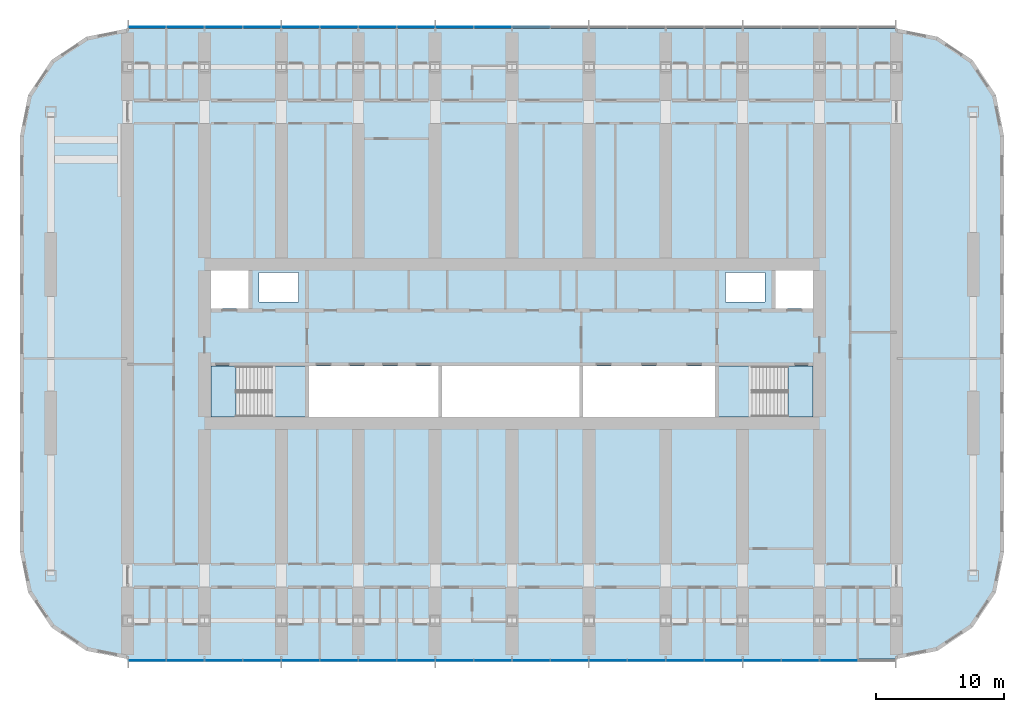
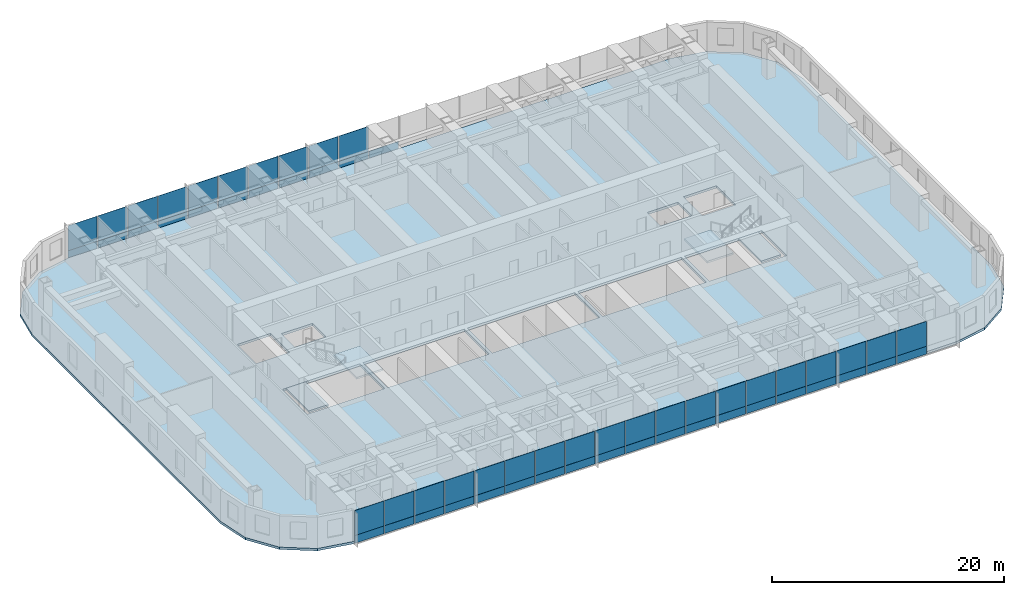
# One storey, part 8 of 23: 59 plates, 5 slabs, 4 elements without a shape of their own.
"""IFC4 building model written with IfcOpenShell, lengths in metres."""

from ifc_helpers import new_model, si_unit, direction, frame, origin, origin_2d, place, context, subcontext, project, spatial, polyline, rectangle, outline, extrude, material, layer, layer_set, type_object, element, aggregate, save


model = new_model("IFC4")

# Units and contexts
model_context = context("Model", 3, precision=1e-05, world=origin(), true_north=direction((0.0, 1.0)))
body_context = subcontext(model_context, "Body", "Model", "MODEL_VIEW")
ifc_project = project(units=[si_unit("LENGTHUNIT", "METRE"), si_unit("AREAUNIT", "SQUARE_METRE"), si_unit("VOLUMEUNIT", "CUBIC_METRE"), si_unit("PLANEANGLEUNIT", "RADIAN"), si_unit("MASSUNIT", "GRAM", prefix="KILO")], contexts=[model_context])

# Site, building, storey
site_placement = place(None, origin())
site = spatial("IfcSite", under=ifc_project, at=site_placement, CompositionType="ELEMENT")
building_placement = place(site_placement, origin())
building = spatial("IfcBuilding", under=site, at=building_placement, Name="Orbita Commons", CompositionType="ELEMENT")
storey_placement = place(building_placement, frame((0.0, 0.0, 50.199951171875)))
storey = spatial("IfcBuildingStorey", under=building, at=storey_placement, Name="L12", CompositionType="ELEMENT", Elevation=50.199951171875)

# Slab
ifc_material_1 = material(Name="Concrete C40/50", Category="concrete")
ifc_layer_1 = layer(ifc_material_1, 0.25)
ifc_layer_set_1 = layer_set([ifc_layer_1], Name="Concrete C40/50")
slab_type_1 = type_object("IfcSlabType", Name="Floor slab 250", PredefinedType="FLOOR", material=ifc_layer_set_1)
slab_1_placement = place(storey_placement, frame((0.0, 0.0, -0.25)))
element("IfcSlab", 1, at=slab_1_placement, inside=storey, type_object=slab_type_1, Name="Floor slab L12", PredefinedType="FLOOR", context=body_context, shape_type="SweptSolid", body=[
    extrude(outline(polyline([(72.0, 7.39990234375), (75.214599609375, 8.039306640625), (77.939697265625, 9.8603515625), (79.760498046875, 12.58544921875), (80.39990234375, 15.800048828125), (80.39990234375, 48.199951171875), (79.760498046875, 51.41455078125), (77.939697265625, 54.1396484375), (75.214599609375, 55.960693359375), (72.0, 56.60009765625), (12.0, 56.60009765625), (8.785400390625, 55.960693359375), (6.060302734375, 54.1396484375), (4.239501953125, 51.41455078125), (3.60009765625, 48.199951171875), (3.60009765625, 15.800048828125), (4.239501953125, 12.58544921875), (6.060302734375, 9.8603515625), (8.785400390625, 8.039306640625), (12.0, 7.39990234375), (72.0, 7.39990234375)]), holes=[polyline([(18.14990234375, 25.949951171875), (25.85009765625, 25.949951171875), (25.85009765625, 30.25), (18.14990234375, 30.25), (18.14990234375, 25.949951171875)]), polyline([(58.14990234375, 25.949951171875), (65.85009765625, 25.949951171875), (65.85009765625, 30.25), (58.14990234375, 30.25), (58.14990234375, 25.949951171875)]), polyline([(18.14990234375, 34.75), (21.449951171875, 34.75), (21.449951171875, 38.050048828125), (18.14990234375, 38.050048828125), (18.14990234375, 34.75)]), polyline([(62.550048828125, 34.75), (65.85009765625, 34.75), (65.85009765625, 38.050048828125), (62.550048828125, 38.050048828125), (62.550048828125, 34.75)]), polyline([(22.25, 35.25), (25.35009765625, 35.25), (25.35009765625, 37.550048828125), (22.25, 37.550048828125), (22.25, 35.25)]), polyline([(58.64990234375, 35.25), (61.75, 35.25), (61.75, 37.550048828125), (58.64990234375, 37.550048828125), (58.64990234375, 35.25)]), polyline([(26.14990234375, 25.949951171875), (36.25, 25.949951171875), (36.25, 30.25), (26.14990234375, 30.25), (26.14990234375, 25.949951171875)]), polyline([(36.550048828125, 25.949951171875), (47.25, 25.949951171875), (47.25, 30.25), (36.550048828125, 30.25), (36.550048828125, 25.949951171875)]), polyline([(47.550048828125, 25.949951171875), (57.85009765625, 25.949951171875), (57.85009765625, 30.25), (47.550048828125, 30.25), (47.550048828125, 25.949951171875)])]), origin(), (0.0, 0.0, 1.0), 0.25),
])

# Curtain wall, plates
ifc_material_2 = material(Name="Anodised aluminium frame, pale silver", Category="aluminium")
curtain_wall_type = type_object("IfcCurtainWallType", Name="Unitised curtain wall CW-T, vision and spandrel", PredefinedType="NOTDEFINED", material=ifc_material_2)
curtain_wall_1_placement = place(storey_placement, origin())
curtain_wall_1 = element("IfcCurtainWall", 2, at=curtain_wall_1_placement, inside=storey, type_object=curtain_wall_type, Name="Curtain wall south L12", PredefinedType="NOTDEFINED")
ifc_material_3 = material(Name="Anodised aluminium sheet on mineral wool", Category="aluminium")
ifc_layer_2 = layer(ifc_material_3, 0.050048828125)
ifc_layer_set_2 = layer_set([ifc_layer_2], Name="Anodised aluminium sheet on mineral wool")
plate_type_1 = type_object("IfcPlateType", Name="Spandrel panel, pale aluminium over insulation 50", PredefinedType="CURTAIN_PANEL", material=ifc_layer_set_2)
plate_1_placement = place(storey_placement, frame((13.52001953125, 7.2900390625, -0.14990234375), z_axis=(0.0, 0.0, 1.0), x_axis=(1.0, 0.0, 0.0)))
plate_1 = element("IfcPlate", 3, at=plate_1_placement, type_object=plate_type_1, Name="Panel 1.1 CW-L12-S", PredefinedType="CURTAIN_PANEL", context=body_context, shape_type="SweptSolid", body=[
    extrude(rectangle(XDim=2.8798828125, YDim=0.050048828125, at=origin_2d()), origin(), (0.0, 0.0, 1.0), 0.822998046875),
])
plate_2_placement = place(storey_placement, frame((16.5, 7.2900390625, -0.14990234375), z_axis=(0.0, 0.0, 1.0), x_axis=(1.0, 0.0, 0.0)))
plate_2 = element("IfcPlate", 4, at=plate_2_placement, type_object=plate_type_1, Name="Panel 2.1 CW-L12-S", PredefinedType="CURTAIN_PANEL", context=body_context, shape_type="SweptSolid", body=[
    extrude(rectangle(XDim=2.919921875, YDim=0.050048828125, at=origin_2d()), origin(), (0.0, 0.0, 1.0), 0.822998046875),
])
plate_3_placement = place(storey_placement, frame((19.5, 7.2900390625, -0.14990234375), z_axis=(0.0, 0.0, 1.0), x_axis=(1.0, 0.0, 0.0)))
plate_3 = element("IfcPlate", 5, at=plate_3_placement, type_object=plate_type_1, Name="Panel 3.1 CW-L12-S", PredefinedType="CURTAIN_PANEL", context=body_context, shape_type="SweptSolid", body=[
    extrude(rectangle(XDim=2.919921875, YDim=0.050048828125, at=origin_2d()), origin(), (0.0, 0.0, 1.0), 0.822998046875),
])
plate_4_placement = place(storey_placement, frame((22.5, 7.2900390625, -0.14990234375), z_axis=(0.0, 0.0, 1.0), x_axis=(1.0, 0.0, 0.0)))
plate_4 = element("IfcPlate", 6, at=plate_4_placement, type_object=plate_type_1, Name="Panel 4.1 CW-L12-S", PredefinedType="CURTAIN_PANEL", context=body_context, shape_type="SweptSolid", body=[
    extrude(rectangle(XDim=2.919921875, YDim=0.050048828125, at=origin_2d()), origin(), (0.0, 0.0, 1.0), 0.822998046875),
])
plate_5_placement = place(storey_placement, frame((25.5, 7.2900390625, -0.14990234375), z_axis=(0.0, 0.0, 1.0), x_axis=(1.0, 0.0, 0.0)))
plate_5 = element("IfcPlate", 7, at=plate_5_placement, type_object=plate_type_1, Name="Panel 5.1 CW-L12-S", PredefinedType="CURTAIN_PANEL", context=body_context, shape_type="SweptSolid", body=[
    extrude(rectangle(XDim=2.919921875, YDim=0.050048828125, at=origin_2d()), origin(), (0.0, 0.0, 1.0), 0.822998046875),
])
plate_6_placement = place(storey_placement, frame((28.5, 7.2900390625, -0.14990234375), z_axis=(0.0, 0.0, 1.0), x_axis=(1.0, 0.0, 0.0)))
plate_6 = element("IfcPlate", 8, at=plate_6_placement, type_object=plate_type_1, Name="Panel 6.1 CW-L12-S", PredefinedType="CURTAIN_PANEL", context=body_context, shape_type="SweptSolid", body=[
    extrude(rectangle(XDim=2.919921875, YDim=0.050048828125, at=origin_2d()), origin(), (0.0, 0.0, 1.0), 0.822998046875),
])
plate_7_placement = place(storey_placement, frame((31.5, 7.2900390625, -0.14990234375), z_axis=(0.0, 0.0, 1.0), x_axis=(1.0, 0.0, 0.0)))
plate_7 = element("IfcPlate", 9, at=plate_7_placement, type_object=plate_type_1, Name="Panel 7.1 CW-L12-S", PredefinedType="CURTAIN_PANEL", context=body_context, shape_type="SweptSolid", body=[
    extrude(rectangle(XDim=2.919921875, YDim=0.050048828125, at=origin_2d()), origin(), (0.0, 0.0, 1.0), 0.822998046875),
])
plate_8_placement = place(storey_placement, frame((34.5, 7.2900390625, -0.14990234375), z_axis=(0.0, 0.0, 1.0), x_axis=(1.0, 0.0, 0.0)))
plate_8 = element("IfcPlate", 10, at=plate_8_placement, type_object=plate_type_1, Name="Panel 8.1 CW-L12-S", PredefinedType="CURTAIN_PANEL", context=body_context, shape_type="SweptSolid", body=[
    extrude(rectangle(XDim=2.919921875, YDim=0.050048828125, at=origin_2d()), origin(), (0.0, 0.0, 1.0), 0.822998046875),
])
plate_9_placement = place(storey_placement, frame((37.5, 7.2900390625, -0.14990234375), z_axis=(0.0, 0.0, 1.0), x_axis=(1.0, 0.0, 0.0)))
plate_9 = element("IfcPlate", 11, at=plate_9_placement, type_object=plate_type_1, Name="Panel 9.1 CW-L12-S", PredefinedType="CURTAIN_PANEL", context=body_context, shape_type="SweptSolid", body=[
    extrude(rectangle(XDim=2.919921875, YDim=0.050048828125, at=origin_2d()), origin(), (0.0, 0.0, 1.0), 0.822998046875),
])
plate_10_placement = place(storey_placement, frame((40.5, 7.2900390625, -0.14990234375), z_axis=(0.0, 0.0, 1.0), x_axis=(1.0, 0.0, 0.0)))
plate_10 = element("IfcPlate", 12, at=plate_10_placement, type_object=plate_type_1, Name="Panel 10.1 CW-L12-S", PredefinedType="CURTAIN_PANEL", context=body_context, shape_type="SweptSolid", body=[
    extrude(rectangle(XDim=2.919921875, YDim=0.050048828125, at=origin_2d()), origin(), (0.0, 0.0, 1.0), 0.822998046875),
])
plate_11_placement = place(storey_placement, frame((43.5, 7.2900390625, -0.14990234375), z_axis=(0.0, 0.0, 1.0), x_axis=(1.0, 0.0, 0.0)))
plate_11 = element("IfcPlate", 13, at=plate_11_placement, type_object=plate_type_1, Name="Panel 11.1 CW-L12-S", PredefinedType="CURTAIN_PANEL", context=body_context, shape_type="SweptSolid", body=[
    extrude(rectangle(XDim=2.919921875, YDim=0.050048828125, at=origin_2d()), origin(), (0.0, 0.0, 1.0), 0.822998046875),
])
plate_12_placement = place(storey_placement, frame((46.5, 7.2900390625, -0.14990234375), z_axis=(0.0, 0.0, 1.0), x_axis=(1.0, 0.0, 0.0)))
plate_12 = element("IfcPlate", 14, at=plate_12_placement, type_object=plate_type_1, Name="Panel 12.1 CW-L12-S", PredefinedType="CURTAIN_PANEL", context=body_context, shape_type="SweptSolid", body=[
    extrude(rectangle(XDim=2.919921875, YDim=0.050048828125, at=origin_2d()), origin(), (0.0, 0.0, 1.0), 0.822998046875),
])
plate_13_placement = place(storey_placement, frame((49.5, 7.2900390625, -0.14990234375), z_axis=(0.0, 0.0, 1.0), x_axis=(1.0, 0.0, 0.0)))
plate_13 = element("IfcPlate", 15, at=plate_13_placement, type_object=plate_type_1, Name="Panel 13.1 CW-L12-S", PredefinedType="CURTAIN_PANEL", context=body_context, shape_type="SweptSolid", body=[
    extrude(rectangle(XDim=2.919921875, YDim=0.050048828125, at=origin_2d()), origin(), (0.0, 0.0, 1.0), 0.822998046875),
])
plate_14_placement = place(storey_placement, frame((52.5, 7.2900390625, -0.14990234375), z_axis=(0.0, 0.0, 1.0), x_axis=(1.0, 0.0, 0.0)))
plate_14 = element("IfcPlate", 16, at=plate_14_placement, type_object=plate_type_1, Name="Panel 14.1 CW-L12-S", PredefinedType="CURTAIN_PANEL", context=body_context, shape_type="SweptSolid", body=[
    extrude(rectangle(XDim=2.919921875, YDim=0.050048828125, at=origin_2d()), origin(), (0.0, 0.0, 1.0), 0.822998046875),
])
plate_15_placement = place(storey_placement, frame((55.5, 7.2900390625, -0.14990234375), z_axis=(0.0, 0.0, 1.0), x_axis=(1.0, 0.0, 0.0)))
plate_15 = element("IfcPlate", 17, at=plate_15_placement, type_object=plate_type_1, Name="Panel 15.1 CW-L12-S", PredefinedType="CURTAIN_PANEL", context=body_context, shape_type="SweptSolid", body=[
    extrude(rectangle(XDim=2.919921875, YDim=0.050048828125, at=origin_2d()), origin(), (0.0, 0.0, 1.0), 0.822998046875),
])
plate_16_placement = place(storey_placement, frame((58.5, 7.2900390625, -0.14990234375), z_axis=(0.0, 0.0, 1.0), x_axis=(1.0, 0.0, 0.0)))
plate_16 = element("IfcPlate", 18, at=plate_16_placement, type_object=plate_type_1, Name="Panel 16.1 CW-L12-S", PredefinedType="CURTAIN_PANEL", context=body_context, shape_type="SweptSolid", body=[
    extrude(rectangle(XDim=2.919921875, YDim=0.050048828125, at=origin_2d()), origin(), (0.0, 0.0, 1.0), 0.822998046875),
])
plate_17_placement = place(storey_placement, frame((61.5, 7.2900390625, -0.14990234375), z_axis=(0.0, 0.0, 1.0), x_axis=(1.0, 0.0, 0.0)))
plate_17 = element("IfcPlate", 19, at=plate_17_placement, type_object=plate_type_1, Name="Panel 17.1 CW-L12-S", PredefinedType="CURTAIN_PANEL", context=body_context, shape_type="SweptSolid", body=[
    extrude(rectangle(XDim=2.919921875, YDim=0.050048828125, at=origin_2d()), origin(), (0.0, 0.0, 1.0), 0.822998046875),
])
plate_18_placement = place(storey_placement, frame((64.5, 7.2900390625, -0.14990234375), z_axis=(0.0, 0.0, 1.0), x_axis=(1.0, 0.0, 0.0)))
plate_18 = element("IfcPlate", 20, at=plate_18_placement, type_object=plate_type_1, Name="Panel 18.1 CW-L12-S", PredefinedType="CURTAIN_PANEL", context=body_context, shape_type="SweptSolid", body=[
    extrude(rectangle(XDim=2.919921875, YDim=0.050048828125, at=origin_2d()), origin(), (0.0, 0.0, 1.0), 0.822998046875),
])
plate_19_placement = place(storey_placement, frame((67.5, 7.2900390625, -0.14990234375), z_axis=(0.0, 0.0, 1.0), x_axis=(1.0, 0.0, 0.0)))
plate_19 = element("IfcPlate", 21, at=plate_19_placement, type_object=plate_type_1, Name="Panel 19.1 CW-L12-S", PredefinedType="CURTAIN_PANEL", context=body_context, shape_type="SweptSolid", body=[
    extrude(rectangle(XDim=2.919921875, YDim=0.050048828125, at=origin_2d()), origin(), (0.0, 0.0, 1.0), 0.822998046875),
])

curtain_wall_2_placement = place(storey_placement, origin())
curtain_wall_2 = element("IfcCurtainWall", 22, at=curtain_wall_2_placement, inside=storey, type_object=curtain_wall_type, Name="Curtain wall north L12", PredefinedType="NOTDEFINED")
plate_20_placement = place(storey_placement, frame((43.5, 56.7099609375, -0.14990234375), z_axis=(0.0, 0.0, 1.0), x_axis=(-1.0, 0.0, 0.0)))
plate_20 = element("IfcPlate", 23, at=plate_20_placement, type_object=plate_type_1, Name="Panel 10.1 CW-L12-N", PredefinedType="CURTAIN_PANEL", context=body_context, shape_type="SweptSolid", body=[
    extrude(rectangle(XDim=2.919921875, YDim=0.050048828125, at=origin_2d()), origin(), (0.0, 0.0, 1.0), 0.822998046875),
])
plate_21_placement = place(storey_placement, frame((40.5, 56.7099609375, -0.14990234375), z_axis=(0.0, 0.0, 1.0), x_axis=(-1.0, 0.0, 0.0)))
plate_21 = element("IfcPlate", 24, at=plate_21_placement, type_object=plate_type_1, Name="Panel 11.1 CW-L12-N", PredefinedType="CURTAIN_PANEL", context=body_context, shape_type="SweptSolid", body=[
    extrude(rectangle(XDim=2.919921875, YDim=0.050048828125, at=origin_2d()), origin(), (0.0, 0.0, 1.0), 0.822998046875),
])
plate_22_placement = place(storey_placement, frame((37.5, 56.7099609375, -0.14990234375), z_axis=(0.0, 0.0, 1.0), x_axis=(-1.0, 0.0, 0.0)))
plate_22 = element("IfcPlate", 25, at=plate_22_placement, type_object=plate_type_1, Name="Panel 12.1 CW-L12-N", PredefinedType="CURTAIN_PANEL", context=body_context, shape_type="SweptSolid", body=[
    extrude(rectangle(XDim=2.919921875, YDim=0.050048828125, at=origin_2d()), origin(), (0.0, 0.0, 1.0), 0.822998046875),
])
plate_23_placement = place(storey_placement, frame((34.5, 56.7099609375, -0.14990234375), z_axis=(0.0, 0.0, 1.0), x_axis=(-1.0, 0.0, 0.0)))
plate_23 = element("IfcPlate", 26, at=plate_23_placement, type_object=plate_type_1, Name="Panel 13.1 CW-L12-N", PredefinedType="CURTAIN_PANEL", context=body_context, shape_type="SweptSolid", body=[
    extrude(rectangle(XDim=2.919921875, YDim=0.050048828125, at=origin_2d()), origin(), (0.0, 0.0, 1.0), 0.822998046875),
])
plate_24_placement = place(storey_placement, frame((31.5, 56.7099609375, -0.14990234375), z_axis=(0.0, 0.0, 1.0), x_axis=(-1.0, 0.0, 0.0)))
plate_24 = element("IfcPlate", 27, at=plate_24_placement, type_object=plate_type_1, Name="Panel 14.1 CW-L12-N", PredefinedType="CURTAIN_PANEL", context=body_context, shape_type="SweptSolid", body=[
    extrude(rectangle(XDim=2.919921875, YDim=0.050048828125, at=origin_2d()), origin(), (0.0, 0.0, 1.0), 0.822998046875),
])
plate_25_placement = place(storey_placement, frame((28.5, 56.7099609375, -0.14990234375), z_axis=(0.0, 0.0, 1.0), x_axis=(-1.0, 0.0, 0.0)))
plate_25 = element("IfcPlate", 28, at=plate_25_placement, type_object=plate_type_1, Name="Panel 15.1 CW-L12-N", PredefinedType="CURTAIN_PANEL", context=body_context, shape_type="SweptSolid", body=[
    extrude(rectangle(XDim=2.919921875, YDim=0.050048828125, at=origin_2d()), origin(), (0.0, 0.0, 1.0), 0.822998046875),
])
plate_26_placement = place(storey_placement, frame((25.5, 56.7099609375, -0.14990234375), z_axis=(0.0, 0.0, 1.0), x_axis=(-1.0, 0.0, 0.0)))
plate_26 = element("IfcPlate", 29, at=plate_26_placement, type_object=plate_type_1, Name="Panel 16.1 CW-L12-N", PredefinedType="CURTAIN_PANEL", context=body_context, shape_type="SweptSolid", body=[
    extrude(rectangle(XDim=2.919921875, YDim=0.050048828125, at=origin_2d()), origin(), (0.0, 0.0, 1.0), 0.822998046875),
])
plate_27_placement = place(storey_placement, frame((22.5, 56.7099609375, -0.14990234375), z_axis=(0.0, 0.0, 1.0), x_axis=(-1.0, 0.0, 0.0)))
plate_27 = element("IfcPlate", 30, at=plate_27_placement, type_object=plate_type_1, Name="Panel 17.1 CW-L12-N", PredefinedType="CURTAIN_PANEL", context=body_context, shape_type="SweptSolid", body=[
    extrude(rectangle(XDim=2.919921875, YDim=0.050048828125, at=origin_2d()), origin(), (0.0, 0.0, 1.0), 0.822998046875),
])
plate_28_placement = place(storey_placement, frame((19.5, 56.7099609375, -0.14990234375), z_axis=(0.0, 0.0, 1.0), x_axis=(-1.0, 0.0, 0.0)))
plate_28 = element("IfcPlate", 31, at=plate_28_placement, type_object=plate_type_1, Name="Panel 18.1 CW-L12-N", PredefinedType="CURTAIN_PANEL", context=body_context, shape_type="SweptSolid", body=[
    extrude(rectangle(XDim=2.919921875, YDim=0.050048828125, at=origin_2d()), origin(), (0.0, 0.0, 1.0), 0.822998046875),
])
plate_29_placement = place(storey_placement, frame((16.5, 56.7099609375, -0.14990234375), z_axis=(0.0, 0.0, 1.0), x_axis=(-1.0, 0.0, 0.0)))
plate_29 = element("IfcPlate", 32, at=plate_29_placement, type_object=plate_type_1, Name="Panel 19.1 CW-L12-N", PredefinedType="CURTAIN_PANEL", context=body_context, shape_type="SweptSolid", body=[
    extrude(rectangle(XDim=2.919921875, YDim=0.050048828125, at=origin_2d()), origin(), (0.0, 0.0, 1.0), 0.822998046875),
])
plate_30_placement = place(storey_placement, frame((13.52001953125, 56.7099609375, -0.14990234375), z_axis=(0.0, 0.0, 1.0), x_axis=(-1.0, 0.0, 0.0)))
plate_30 = element("IfcPlate", 33, at=plate_30_placement, type_object=plate_type_1, Name="Panel 20.1 CW-L12-N", PredefinedType="CURTAIN_PANEL", context=body_context, shape_type="SweptSolid", body=[
    extrude(rectangle(XDim=2.8798828125, YDim=0.050048828125, at=origin_2d()), origin(), (0.0, 0.0, 1.0), 0.822998046875),
])

# Stair, slabs
ifc_material_4 = material(Name="Precast concrete C40/50", Category="concrete")
stair_type_1 = type_object("IfcStairType", Name="Exit stair S1 2 flights 11 risers 170", PredefinedType="HALF_TURN_STAIR", material=ifc_material_4)
stair_1_placement = place(storey_placement, origin())
stair_1 = element("IfcStair", 34, at=stair_1_placement, inside=storey, type_object=stair_type_1, Name="Exit stair S1 L12", PredefinedType="HALF_TURN_STAIR")
ifc_material_5 = material(Name="Concrete C40/50", Category="concrete")
ifc_layer_3 = layer(ifc_material_5, 0.199951171875)
ifc_layer_set_3 = layer_set([ifc_layer_3], Name="Concrete C40/50")
slab_type_2 = type_object("IfcSlabType", Name="Stair landing 200", PredefinedType="LANDING", material=ifc_layer_set_3)
slab_2_placement = place(storey_placement, frame((0.0, 0.0, -0.199951171875)))
slab_2 = element("IfcSlab", 35, at=slab_2_placement, type_object=slab_type_2, Name="S1 landing 1", PredefinedType="LANDING", context=body_context, shape_type="SweptSolid", body=[
    extrude(outline(polyline([(18.5, 26.300048828125), (20.449951171875, 26.300048828125), (20.449951171875, 30.25), (18.5, 30.25), (18.5, 26.300048828125)])), origin(), (0.0, 0.0, 1.0), 0.199951171875),
])
slab_3_placement = place(storey_placement, frame((0.0, 0.0, 1.675048828125)))
slab_3 = element("IfcSlab", 36, at=slab_3_placement, type_object=slab_type_2, Name="S1 landing 2", PredefinedType="LANDING", context=body_context, shape_type="SweptSolid", body=[
    extrude(outline(polyline([(23.25, 26.284912109375), (25.864990234375, 26.284912109375), (25.864990234375, 30.264892578125), (23.25, 30.264892578125), (23.25, 26.284912109375)])), origin(), (0.0, 0.0, 1.0), 0.199951171875),
])
aggregate(stair_1, [slab_2, slab_3])

ifc_material_6 = material(Name="Precast concrete C40/50", Category="concrete")
stair_type_2 = type_object("IfcStairType", Name="Exit stair S2 2 flights 11 risers 170", PredefinedType="HALF_TURN_STAIR", material=ifc_material_6)
stair_2_placement = place(storey_placement, origin())
stair_2 = element("IfcStair", 37, at=stair_2_placement, inside=storey, type_object=stair_type_2, Name="Exit stair S2 L12", PredefinedType="HALF_TURN_STAIR")
slab_4_placement = place(storey_placement, frame((0.0, 0.0, -0.199951171875)))
slab_4 = element("IfcSlab", 38, at=slab_4_placement, type_object=slab_type_2, Name="S2 landing 1", PredefinedType="LANDING", context=body_context, shape_type="SweptSolid", body=[
    extrude(outline(polyline([(63.550048828125, 26.300048828125), (65.5, 26.300048828125), (65.5, 30.25), (63.550048828125, 30.25), (63.550048828125, 26.300048828125)])), origin(), (0.0, 0.0, 1.0), 0.199951171875),
])
slab_5_placement = place(storey_placement, frame((0.0, 0.0, 1.675048828125)))
slab_5 = element("IfcSlab", 39, at=slab_5_placement, type_object=slab_type_2, Name="S2 landing 2", PredefinedType="LANDING", context=body_context, shape_type="SweptSolid", body=[
    extrude(outline(polyline([(58.135009765625, 26.284912109375), (60.75, 26.284912109375), (60.75, 30.264892578125), (58.135009765625, 30.264892578125), (58.135009765625, 26.284912109375)])), origin(), (0.0, 0.0, 1.0), 0.199951171875),
])
aggregate(stair_2, [slab_4, slab_5])

# Plate
ifc_material_7 = material(Name="Clear double glazing", Category="glass")
ifc_layer_4 = layer(ifc_material_7, 0.031982421875)
ifc_layer_set_4 = layer_set([ifc_layer_4], Name="Clear double glazing")
plate_type_2 = type_object("IfcPlateType", Name="Vision panel, clear double glazing 32", PredefinedType="CURTAIN_PANEL", material=ifc_layer_set_4)
plate_31_placement = place(storey_placement, frame((13.52001953125, 7.2900390625, 0.673095703125), z_axis=(0.0, 0.0, 1.0), x_axis=(1.0, 0.0, 0.0)))
plate_31 = element("IfcPlate", 40, at=plate_31_placement, type_object=plate_type_2, Name="Panel 1.2 CW-L12-S", PredefinedType="CURTAIN_PANEL", context=body_context, shape_type="SweptSolid", body=[
    extrude(rectangle(XDim=2.8798828125, YDim=0.031982421875, at=origin_2d()), origin(), (0.0, 0.0, 1.0), 2.626953125),
])

plate_32_placement = place(storey_placement, frame((16.5, 7.2900390625, 0.673095703125), z_axis=(0.0, 0.0, 1.0), x_axis=(1.0, 0.0, 0.0)))
plate_32 = element("IfcPlate", 41, at=plate_32_placement, type_object=plate_type_2, Name="Panel 2.2 CW-L12-S", PredefinedType="CURTAIN_PANEL", context=body_context, shape_type="SweptSolid", body=[
    extrude(rectangle(XDim=2.919921875, YDim=0.031982421875, at=origin_2d()), origin(), (0.0, 0.0, 1.0), 2.626953125),
])

plate_33_placement = place(storey_placement, frame((19.5, 7.2900390625, 0.673095703125), z_axis=(0.0, 0.0, 1.0), x_axis=(1.0, 0.0, 0.0)))
plate_33 = element("IfcPlate", 42, at=plate_33_placement, type_object=plate_type_2, Name="Panel 3.2 CW-L12-S", PredefinedType="CURTAIN_PANEL", context=body_context, shape_type="SweptSolid", body=[
    extrude(rectangle(XDim=2.919921875, YDim=0.031982421875, at=origin_2d()), origin(), (0.0, 0.0, 1.0), 2.626953125),
])

plate_34_placement = place(storey_placement, frame((22.5, 7.2900390625, 0.673095703125), z_axis=(0.0, 0.0, 1.0), x_axis=(1.0, 0.0, 0.0)))
plate_34 = element("IfcPlate", 43, at=plate_34_placement, type_object=plate_type_2, Name="Panel 4.2 CW-L12-S", PredefinedType="CURTAIN_PANEL", context=body_context, shape_type="SweptSolid", body=[
    extrude(rectangle(XDim=2.919921875, YDim=0.031982421875, at=origin_2d()), origin(), (0.0, 0.0, 1.0), 2.626953125),
])

plate_35_placement = place(storey_placement, frame((25.5, 7.2900390625, 0.673095703125), z_axis=(0.0, 0.0, 1.0), x_axis=(1.0, 0.0, 0.0)))
plate_35 = element("IfcPlate", 44, at=plate_35_placement, type_object=plate_type_2, Name="Panel 5.2 CW-L12-S", PredefinedType="CURTAIN_PANEL", context=body_context, shape_type="SweptSolid", body=[
    extrude(rectangle(XDim=2.919921875, YDim=0.031982421875, at=origin_2d()), origin(), (0.0, 0.0, 1.0), 2.626953125),
])

plate_36_placement = place(storey_placement, frame((28.5, 7.2900390625, 0.673095703125), z_axis=(0.0, 0.0, 1.0), x_axis=(1.0, 0.0, 0.0)))
plate_36 = element("IfcPlate", 45, at=plate_36_placement, type_object=plate_type_2, Name="Panel 6.2 CW-L12-S", PredefinedType="CURTAIN_PANEL", context=body_context, shape_type="SweptSolid", body=[
    extrude(rectangle(XDim=2.919921875, YDim=0.031982421875, at=origin_2d()), origin(), (0.0, 0.0, 1.0), 2.626953125),
])

plate_37_placement = place(storey_placement, frame((31.5, 7.2900390625, 0.673095703125), z_axis=(0.0, 0.0, 1.0), x_axis=(1.0, 0.0, 0.0)))
plate_37 = element("IfcPlate", 46, at=plate_37_placement, type_object=plate_type_2, Name="Panel 7.2 CW-L12-S", PredefinedType="CURTAIN_PANEL", context=body_context, shape_type="SweptSolid", body=[
    extrude(rectangle(XDim=2.919921875, YDim=0.031982421875, at=origin_2d()), origin(), (0.0, 0.0, 1.0), 2.626953125),
])

plate_38_placement = place(storey_placement, frame((34.5, 7.2900390625, 0.673095703125), z_axis=(0.0, 0.0, 1.0), x_axis=(1.0, 0.0, 0.0)))
plate_38 = element("IfcPlate", 47, at=plate_38_placement, type_object=plate_type_2, Name="Panel 8.2 CW-L12-S", PredefinedType="CURTAIN_PANEL", context=body_context, shape_type="SweptSolid", body=[
    extrude(rectangle(XDim=2.919921875, YDim=0.031982421875, at=origin_2d()), origin(), (0.0, 0.0, 1.0), 2.626953125),
])

plate_39_placement = place(storey_placement, frame((37.5, 7.2900390625, 0.673095703125), z_axis=(0.0, 0.0, 1.0), x_axis=(1.0, 0.0, 0.0)))
plate_39 = element("IfcPlate", 48, at=plate_39_placement, type_object=plate_type_2, Name="Panel 9.2 CW-L12-S", PredefinedType="CURTAIN_PANEL", context=body_context, shape_type="SweptSolid", body=[
    extrude(rectangle(XDim=2.919921875, YDim=0.031982421875, at=origin_2d()), origin(), (0.0, 0.0, 1.0), 2.626953125),
])

plate_40_placement = place(storey_placement, frame((40.5, 7.2900390625, 0.673095703125), z_axis=(0.0, 0.0, 1.0), x_axis=(1.0, 0.0, 0.0)))
plate_40 = element("IfcPlate", 49, at=plate_40_placement, type_object=plate_type_2, Name="Panel 10.2 CW-L12-S", PredefinedType="CURTAIN_PANEL", context=body_context, shape_type="SweptSolid", body=[
    extrude(rectangle(XDim=2.919921875, YDim=0.031982421875, at=origin_2d()), origin(), (0.0, 0.0, 1.0), 2.626953125),
])

plate_41_placement = place(storey_placement, frame((43.5, 7.2900390625, 0.673095703125), z_axis=(0.0, 0.0, 1.0), x_axis=(1.0, 0.0, 0.0)))
plate_41 = element("IfcPlate", 50, at=plate_41_placement, type_object=plate_type_2, Name="Panel 11.2 CW-L12-S", PredefinedType="CURTAIN_PANEL", context=body_context, shape_type="SweptSolid", body=[
    extrude(rectangle(XDim=2.919921875, YDim=0.031982421875, at=origin_2d()), origin(), (0.0, 0.0, 1.0), 2.626953125),
])

plate_42_placement = place(storey_placement, frame((46.5, 7.2900390625, 0.673095703125), z_axis=(0.0, 0.0, 1.0), x_axis=(1.0, 0.0, 0.0)))
plate_42 = element("IfcPlate", 51, at=plate_42_placement, type_object=plate_type_2, Name="Panel 12.2 CW-L12-S", PredefinedType="CURTAIN_PANEL", context=body_context, shape_type="SweptSolid", body=[
    extrude(rectangle(XDim=2.919921875, YDim=0.031982421875, at=origin_2d()), origin(), (0.0, 0.0, 1.0), 2.626953125),
])

plate_43_placement = place(storey_placement, frame((49.5, 7.2900390625, 0.673095703125), z_axis=(0.0, 0.0, 1.0), x_axis=(1.0, 0.0, 0.0)))
plate_43 = element("IfcPlate", 52, at=plate_43_placement, type_object=plate_type_2, Name="Panel 13.2 CW-L12-S", PredefinedType="CURTAIN_PANEL", context=body_context, shape_type="SweptSolid", body=[
    extrude(rectangle(XDim=2.919921875, YDim=0.031982421875, at=origin_2d()), origin(), (0.0, 0.0, 1.0), 2.626953125),
])

plate_44_placement = place(storey_placement, frame((52.5, 7.2900390625, 0.673095703125), z_axis=(0.0, 0.0, 1.0), x_axis=(1.0, 0.0, 0.0)))
plate_44 = element("IfcPlate", 53, at=plate_44_placement, type_object=plate_type_2, Name="Panel 14.2 CW-L12-S", PredefinedType="CURTAIN_PANEL", context=body_context, shape_type="SweptSolid", body=[
    extrude(rectangle(XDim=2.919921875, YDim=0.031982421875, at=origin_2d()), origin(), (0.0, 0.0, 1.0), 2.626953125),
])

plate_45_placement = place(storey_placement, frame((55.5, 7.2900390625, 0.673095703125), z_axis=(0.0, 0.0, 1.0), x_axis=(1.0, 0.0, 0.0)))
plate_45 = element("IfcPlate", 54, at=plate_45_placement, type_object=plate_type_2, Name="Panel 15.2 CW-L12-S", PredefinedType="CURTAIN_PANEL", context=body_context, shape_type="SweptSolid", body=[
    extrude(rectangle(XDim=2.919921875, YDim=0.031982421875, at=origin_2d()), origin(), (0.0, 0.0, 1.0), 2.626953125),
])

plate_46_placement = place(storey_placement, frame((58.5, 7.2900390625, 0.673095703125), z_axis=(0.0, 0.0, 1.0), x_axis=(1.0, 0.0, 0.0)))
plate_46 = element("IfcPlate", 55, at=plate_46_placement, type_object=plate_type_2, Name="Panel 16.2 CW-L12-S", PredefinedType="CURTAIN_PANEL", context=body_context, shape_type="SweptSolid", body=[
    extrude(rectangle(XDim=2.919921875, YDim=0.031982421875, at=origin_2d()), origin(), (0.0, 0.0, 1.0), 2.626953125),
])

plate_47_placement = place(storey_placement, frame((61.5, 7.2900390625, 0.673095703125), z_axis=(0.0, 0.0, 1.0), x_axis=(1.0, 0.0, 0.0)))
plate_47 = element("IfcPlate", 56, at=plate_47_placement, type_object=plate_type_2, Name="Panel 17.2 CW-L12-S", PredefinedType="CURTAIN_PANEL", context=body_context, shape_type="SweptSolid", body=[
    extrude(rectangle(XDim=2.919921875, YDim=0.031982421875, at=origin_2d()), origin(), (0.0, 0.0, 1.0), 2.626953125),
])

plate_48_placement = place(storey_placement, frame((64.5, 7.2900390625, 0.673095703125), z_axis=(0.0, 0.0, 1.0), x_axis=(1.0, 0.0, 0.0)))
plate_48 = element("IfcPlate", 57, at=plate_48_placement, type_object=plate_type_2, Name="Panel 18.2 CW-L12-S", PredefinedType="CURTAIN_PANEL", context=body_context, shape_type="SweptSolid", body=[
    extrude(rectangle(XDim=2.919921875, YDim=0.031982421875, at=origin_2d()), origin(), (0.0, 0.0, 1.0), 2.626953125),
])

plate_49_placement = place(storey_placement, frame((67.5, 7.2900390625, 0.673095703125), z_axis=(0.0, 0.0, 1.0), x_axis=(1.0, 0.0, 0.0)))
plate_49 = element("IfcPlate", 58, at=plate_49_placement, type_object=plate_type_2, Name="Panel 19.2 CW-L12-S", PredefinedType="CURTAIN_PANEL", context=body_context, shape_type="SweptSolid", body=[
    extrude(rectangle(XDim=2.919921875, YDim=0.031982421875, at=origin_2d()), origin(), (0.0, 0.0, 1.0), 2.626953125),
])

aggregate(curtain_wall_1, [plate_1, plate_31, plate_2, plate_32, plate_3, plate_33, plate_4, plate_34, plate_5, plate_35, plate_6, plate_36, plate_7, plate_37, plate_8, plate_38, plate_9, plate_39, plate_10, plate_40, plate_11, plate_41, plate_12, plate_42, plate_13, plate_43, plate_14, plate_44, plate_15, plate_45, plate_16, plate_46, plate_17, plate_47, plate_18, plate_48, plate_19, plate_49])

plate_50_placement = place(storey_placement, frame((40.5, 56.7099609375, 0.673095703125), z_axis=(0.0, 0.0, 1.0), x_axis=(-1.0, 0.0, 0.0)))
plate_50 = element("IfcPlate", 59, at=plate_50_placement, type_object=plate_type_2, Name="Panel 11.2 CW-L12-N", PredefinedType="CURTAIN_PANEL", context=body_context, shape_type="SweptSolid", body=[
    extrude(rectangle(XDim=2.919921875, YDim=0.031982421875, at=origin_2d()), origin(), (0.0, 0.0, 1.0), 2.626953125),
])

plate_51_placement = place(storey_placement, frame((37.5, 56.7099609375, 0.673095703125), z_axis=(0.0, 0.0, 1.0), x_axis=(-1.0, 0.0, 0.0)))
plate_51 = element("IfcPlate", 60, at=plate_51_placement, type_object=plate_type_2, Name="Panel 12.2 CW-L12-N", PredefinedType="CURTAIN_PANEL", context=body_context, shape_type="SweptSolid", body=[
    extrude(rectangle(XDim=2.919921875, YDim=0.031982421875, at=origin_2d()), origin(), (0.0, 0.0, 1.0), 2.626953125),
])

plate_52_placement = place(storey_placement, frame((34.5, 56.7099609375, 0.673095703125), z_axis=(0.0, 0.0, 1.0), x_axis=(-1.0, 0.0, 0.0)))
plate_52 = element("IfcPlate", 61, at=plate_52_placement, type_object=plate_type_2, Name="Panel 13.2 CW-L12-N", PredefinedType="CURTAIN_PANEL", context=body_context, shape_type="SweptSolid", body=[
    extrude(rectangle(XDim=2.919921875, YDim=0.031982421875, at=origin_2d()), origin(), (0.0, 0.0, 1.0), 2.626953125),
])

plate_53_placement = place(storey_placement, frame((31.5, 56.7099609375, 0.673095703125), z_axis=(0.0, 0.0, 1.0), x_axis=(-1.0, 0.0, 0.0)))
plate_53 = element("IfcPlate", 62, at=plate_53_placement, type_object=plate_type_2, Name="Panel 14.2 CW-L12-N", PredefinedType="CURTAIN_PANEL", context=body_context, shape_type="SweptSolid", body=[
    extrude(rectangle(XDim=2.919921875, YDim=0.031982421875, at=origin_2d()), origin(), (0.0, 0.0, 1.0), 2.626953125),
])

plate_54_placement = place(storey_placement, frame((28.5, 56.7099609375, 0.673095703125), z_axis=(0.0, 0.0, 1.0), x_axis=(-1.0, 0.0, 0.0)))
plate_54 = element("IfcPlate", 63, at=plate_54_placement, type_object=plate_type_2, Name="Panel 15.2 CW-L12-N", PredefinedType="CURTAIN_PANEL", context=body_context, shape_type="SweptSolid", body=[
    extrude(rectangle(XDim=2.919921875, YDim=0.031982421875, at=origin_2d()), origin(), (0.0, 0.0, 1.0), 2.626953125),
])

plate_55_placement = place(storey_placement, frame((25.5, 56.7099609375, 0.673095703125), z_axis=(0.0, 0.0, 1.0), x_axis=(-1.0, 0.0, 0.0)))
plate_55 = element("IfcPlate", 64, at=plate_55_placement, type_object=plate_type_2, Name="Panel 16.2 CW-L12-N", PredefinedType="CURTAIN_PANEL", context=body_context, shape_type="SweptSolid", body=[
    extrude(rectangle(XDim=2.919921875, YDim=0.031982421875, at=origin_2d()), origin(), (0.0, 0.0, 1.0), 2.626953125),
])

plate_56_placement = place(storey_placement, frame((22.5, 56.7099609375, 0.673095703125), z_axis=(0.0, 0.0, 1.0), x_axis=(-1.0, 0.0, 0.0)))
plate_56 = element("IfcPlate", 65, at=plate_56_placement, type_object=plate_type_2, Name="Panel 17.2 CW-L12-N", PredefinedType="CURTAIN_PANEL", context=body_context, shape_type="SweptSolid", body=[
    extrude(rectangle(XDim=2.919921875, YDim=0.031982421875, at=origin_2d()), origin(), (0.0, 0.0, 1.0), 2.626953125),
])

plate_57_placement = place(storey_placement, frame((19.5, 56.7099609375, 0.673095703125), z_axis=(0.0, 0.0, 1.0), x_axis=(-1.0, 0.0, 0.0)))
plate_57 = element("IfcPlate", 66, at=plate_57_placement, type_object=plate_type_2, Name="Panel 18.2 CW-L12-N", PredefinedType="CURTAIN_PANEL", context=body_context, shape_type="SweptSolid", body=[
    extrude(rectangle(XDim=2.919921875, YDim=0.031982421875, at=origin_2d()), origin(), (0.0, 0.0, 1.0), 2.626953125),
])

plate_58_placement = place(storey_placement, frame((16.5, 56.7099609375, 0.673095703125), z_axis=(0.0, 0.0, 1.0), x_axis=(-1.0, 0.0, 0.0)))
plate_58 = element("IfcPlate", 67, at=plate_58_placement, type_object=plate_type_2, Name="Panel 19.2 CW-L12-N", PredefinedType="CURTAIN_PANEL", context=body_context, shape_type="SweptSolid", body=[
    extrude(rectangle(XDim=2.919921875, YDim=0.031982421875, at=origin_2d()), origin(), (0.0, 0.0, 1.0), 2.626953125),
])

plate_59_placement = place(storey_placement, frame((13.52001953125, 56.7099609375, 0.673095703125), z_axis=(0.0, 0.0, 1.0), x_axis=(-1.0, 0.0, 0.0)))
plate_59 = element("IfcPlate", 68, at=plate_59_placement, type_object=plate_type_2, Name="Panel 20.2 CW-L12-N", PredefinedType="CURTAIN_PANEL", context=body_context, shape_type="SweptSolid", body=[
    extrude(rectangle(XDim=2.8798828125, YDim=0.031982421875, at=origin_2d()), origin(), (0.0, 0.0, 1.0), 2.626953125),
])

aggregate(curtain_wall_2, [plate_20, plate_21, plate_50, plate_22, plate_51, plate_23, plate_52, plate_24, plate_53, plate_25, plate_54, plate_26, plate_55, plate_27, plate_56, plate_28, plate_57, plate_29, plate_58, plate_30, plate_59])

save(model, "model.ifc")
